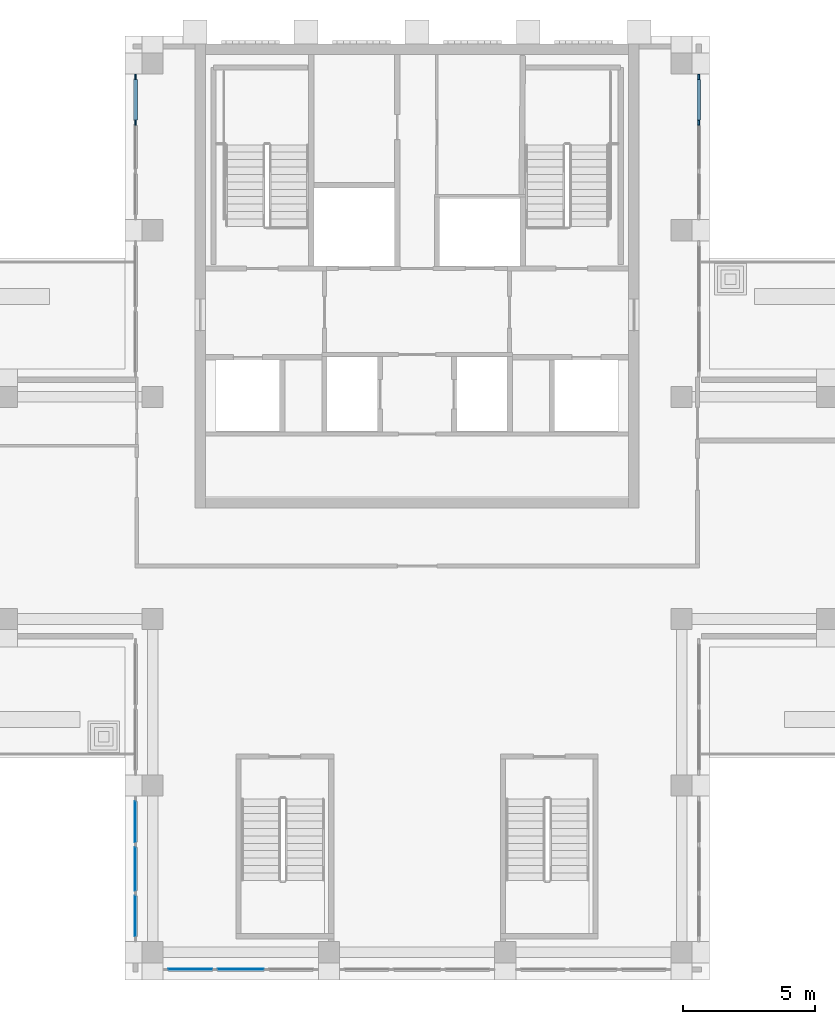
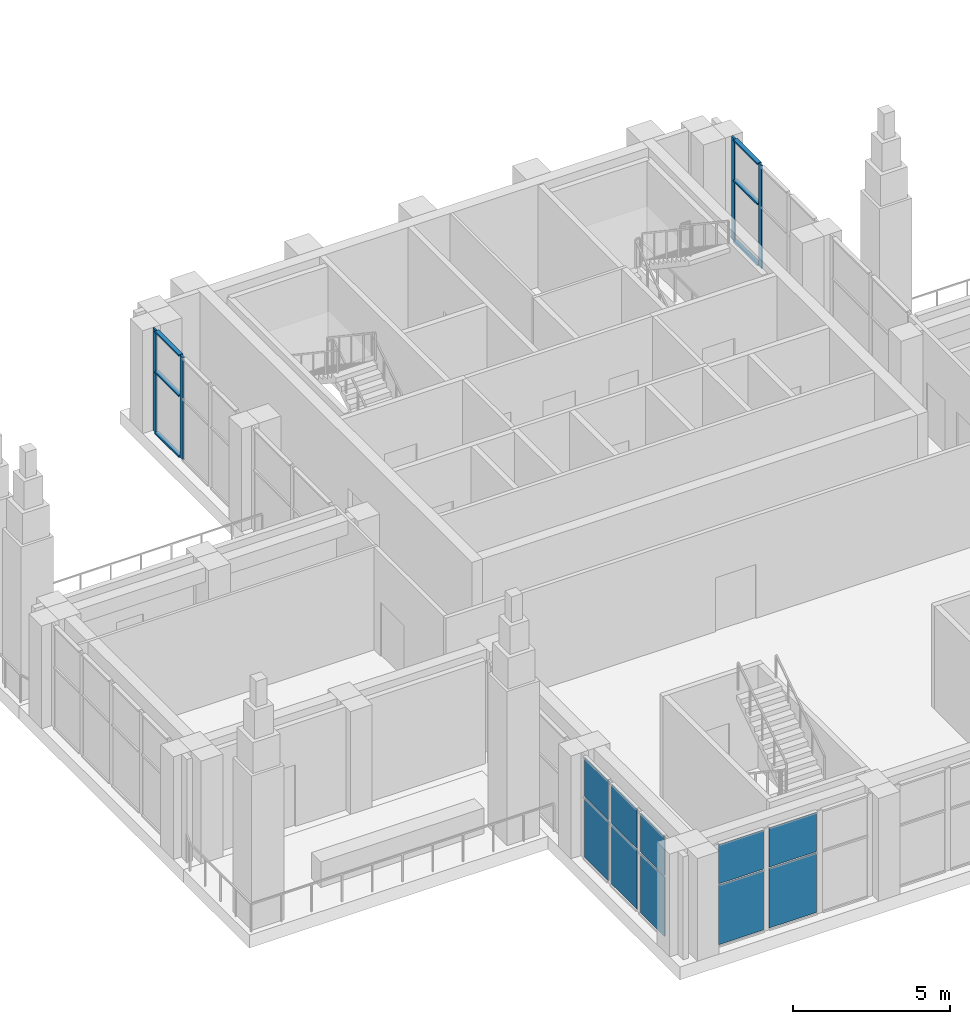
# One storey, part 6 of 14: 10 members, 10 plates, 4 elements without a shape of their own.
"""IFC4 building model written with IfcOpenShell, lengths in metres."""

from ifc_helpers import new_model, si_unit, direction, frame, origin, origin_2d, place, context, subcontext, project, spatial, rectangle, extrude, material, layer, layer_set, material_profile, profile_set, type_object, element, aggregate, save


model = new_model("IFC4")

# Units and contexts
model_context = context("Model", 3, precision=1e-05, world=origin(), true_north=direction((0.0, 1.0)))
body_context = subcontext(model_context, "Body", "Model", "MODEL_VIEW")
ifc_project = project(units=[si_unit("LENGTHUNIT", "METRE"), si_unit("AREAUNIT", "SQUARE_METRE"), si_unit("VOLUMEUNIT", "CUBIC_METRE"), si_unit("PLANEANGLEUNIT", "RADIAN"), si_unit("MASSUNIT", "GRAM", prefix="KILO")], contexts=[model_context])

# Site, building, storey
site_placement = place(None, origin())
site = spatial("IfcSite", under=ifc_project, at=site_placement, CompositionType="ELEMENT")
building_placement = place(site_placement, origin())
building = spatial("IfcBuilding", under=site, at=building_placement, Name="Vermilion Ogive Tower", CompositionType="ELEMENT")
storey_placement = place(building_placement, frame((0.0, 0.0, 284.85009765625)))
storey = spatial("IfcBuildingStorey", under=building, at=storey_placement, Name="L74", CompositionType="ELEMENT", Elevation=284.85009765625)

# Curtain wall, members
ifc_material_1 = material(Name="Low-iron laminated glazing in aluminium frame", Category="aluminium")
curtain_wall_type = type_object("IfcCurtainWallType", Name="Curtain wall CW3", PredefinedType="NOTDEFINED", material=ifc_material_1)
curtain_wall_1_placement = place(storey_placement, origin())
curtain_wall_1 = element("IfcCurtainWall", 1, at=curtain_wall_1_placement, inside=storey, type_object=curtain_wall_type, Name="CW3 glazing X42", PredefinedType="NOTDEFINED")
ifc_material_2 = material(Name="Aluminium mullion", Category="aluminium")
ifc_material_profile_1 = material_profile(ifc_material_2, rectangle(XDim=0.06005859375, YDim=0.199951171875, at=origin_2d()), Name="AL 60x200")
ifc_profile_set_1 = profile_set([ifc_material_profile_1], Name="Aluminium mullion")
member_type_1 = type_object("IfcMemberType", Name="CW3 mullion 60x200", PredefinedType="MULLION", material=ifc_profile_set_1)
member_1_placement = place(storey_placement, frame((10.64990234375, 18.7666015625, 0.0), z_axis=(0.0, 0.0, 1.0), x_axis=(-1.0, 0.0, 0.0)))
member_1 = element("IfcMember", 2, at=member_1_placement, type_object=member_type_1, Name="CW3-X42 mullion 3", PredefinedType="MULLION", context=body_context, shape_type="SweptSolid", body=[
    extrude(rectangle(XDim=0.06005859375, YDim=0.199951171875, at=origin_2d()), origin(), (0.0, 0.0, 1.0), 4.0),
])
member_2_placement = place(storey_placement, frame((10.64990234375, 20.5, 0.0), z_axis=(0.0, 0.0, 1.0), x_axis=(-1.0, 0.0, 0.0)))
member_2 = element("IfcMember", 3, at=member_2_placement, type_object=member_type_1, Name="CW3-X42 mullion 4", PredefinedType="MULLION", context=body_context, shape_type="SweptSolid", body=[
    extrude(rectangle(XDim=0.06005859375, YDim=0.199951171875, at=origin_2d()), origin(), (0.0, 0.0, 1.0), 4.0),
])

curtain_wall_2_placement = place(storey_placement, origin())
curtain_wall_2 = element("IfcCurtainWall", 4, at=curtain_wall_2_placement, inside=storey, type_object=curtain_wall_type, Name="CW3 glazing X51", PredefinedType="NOTDEFINED")
member_3_placement = place(storey_placement, frame((-10.64990234375, 20.5, 0.0), z_axis=(0.0, 0.0, 1.0), x_axis=(1.0, 0.0, 0.0)))
member_3 = element("IfcMember", 5, at=member_3_placement, type_object=member_type_1, Name="CW3-X51 mullion 1", PredefinedType="MULLION", context=body_context, shape_type="SweptSolid", body=[
    extrude(rectangle(XDim=0.06005859375, YDim=0.199951171875, at=origin_2d()), origin(), (0.0, 0.0, 1.0), 4.0),
])
member_4_placement = place(storey_placement, frame((-10.64990234375, 18.7666015625, 0.0), z_axis=(0.0, 0.0, 1.0), x_axis=(1.0, 0.0, 0.0)))
member_4 = element("IfcMember", 6, at=member_4_placement, type_object=member_type_1, Name="CW3-X51 mullion 2", PredefinedType="MULLION", context=body_context, shape_type="SweptSolid", body=[
    extrude(rectangle(XDim=0.06005859375, YDim=0.199951171875, at=origin_2d()), origin(), (0.0, 0.0, 1.0), 4.0),
])

# Member
ifc_material_3 = material(Name="Aluminium transom", Category="aluminium")
ifc_material_profile_2 = material_profile(ifc_material_3, rectangle(XDim=0.14990234375, YDim=0.06005859375, at=origin_2d()), Name="AL 60x150")
ifc_profile_set_2 = profile_set([ifc_material_profile_2], Name="Aluminium transom")
member_type_2 = type_object("IfcMemberType", Name="CW3 transom 60x150", PredefinedType="USERDEFINED", material=ifc_profile_set_2)
member_5_placement = place(storey_placement, frame((10.64990234375, 18.86669921875, 0.02978515625), z_axis=(0.0, 1.0, 0.0), x_axis=(-1.0, 0.0, 0.0)))
member_5 = element("IfcMember", 7, at=member_5_placement, type_object=member_type_2, Name="CW3-X42 transom 3.1", ObjectType="TRANSOM", PredefinedType="USERDEFINED", context=body_context, shape_type="SweptSolid", body=[
    extrude(rectangle(XDim=0.14990234375, YDim=0.06005859375, at=origin_2d()), origin(), (0.0, 0.0, 1.0), 1.533203125),
])

member_6_placement = place(storey_placement, frame((10.64990234375, 18.86669921875, 2.39990234375), z_axis=(0.0, 1.0, 0.0), x_axis=(-1.0, 0.0, 0.0)))
member_6 = element("IfcMember", 8, at=member_6_placement, type_object=member_type_2, Name="CW3-X42 transom 3.2", ObjectType="TRANSOM", PredefinedType="USERDEFINED", context=body_context, shape_type="SweptSolid", body=[
    extrude(rectangle(XDim=0.14990234375, YDim=0.06005859375, at=origin_2d()), origin(), (0.0, 0.0, 1.0), 1.533203125),
])

member_7_placement = place(storey_placement, frame((10.64990234375, 18.86669921875, 3.969970703125), z_axis=(0.0, 1.0, 0.0), x_axis=(-1.0, 0.0, 0.0)))
member_7 = element("IfcMember", 9, at=member_7_placement, type_object=member_type_2, Name="CW3-X42 transom 3.3", ObjectType="TRANSOM", PredefinedType="USERDEFINED", context=body_context, shape_type="SweptSolid", body=[
    extrude(rectangle(XDim=0.14990234375, YDim=0.06005859375, at=origin_2d()), origin(), (0.0, 0.0, 1.0), 1.533203125),
])

aggregate(curtain_wall_1, [member_1, member_2, member_5, member_6, member_7])

member_8_placement = place(storey_placement, frame((-10.64990234375, 20.39990234375, 0.02978515625), z_axis=(0.0, -1.0, 0.0), x_axis=(1.0, 0.0, 0.0)))
member_8 = element("IfcMember", 10, at=member_8_placement, type_object=member_type_2, Name="CW3-X51 transom 1.1", ObjectType="TRANSOM", PredefinedType="USERDEFINED", context=body_context, shape_type="SweptSolid", body=[
    extrude(rectangle(XDim=0.14990234375, YDim=0.06005859375, at=origin_2d()), origin(), (0.0, 0.0, 1.0), 1.533203125),
])

member_9_placement = place(storey_placement, frame((-10.64990234375, 20.39990234375, 2.39990234375), z_axis=(0.0, -1.0, 0.0), x_axis=(1.0, 0.0, 0.0)))
member_9 = element("IfcMember", 11, at=member_9_placement, type_object=member_type_2, Name="CW3-X51 transom 1.2", ObjectType="TRANSOM", PredefinedType="USERDEFINED", context=body_context, shape_type="SweptSolid", body=[
    extrude(rectangle(XDim=0.14990234375, YDim=0.06005859375, at=origin_2d()), origin(), (0.0, 0.0, 1.0), 1.533203125),
])

member_10_placement = place(storey_placement, frame((-10.64990234375, 20.39990234375, 3.969970703125), z_axis=(0.0, -1.0, 0.0), x_axis=(1.0, 0.0, 0.0)))
member_10 = element("IfcMember", 12, at=member_10_placement, type_object=member_type_2, Name="CW3-X51 transom 1.3", ObjectType="TRANSOM", PredefinedType="USERDEFINED", context=body_context, shape_type="SweptSolid", body=[
    extrude(rectangle(XDim=0.14990234375, YDim=0.06005859375, at=origin_2d()), origin(), (0.0, 0.0, 1.0), 1.533203125),
])

aggregate(curtain_wall_2, [member_3, member_4, member_8, member_9, member_10])

# Curtain wall, plates
curtain_wall_3_placement = place(storey_placement, origin())
curtain_wall_3 = element("IfcCurtainWall", 13, at=curtain_wall_3_placement, inside=storey, type_object=curtain_wall_type, Name="CW3 glazing S1", PredefinedType="NOTDEFINED")
ifc_material_4 = material(Name="Low-iron laminated glazing in aluminium frame", Category="aluminium")
ifc_layer = layer(ifc_material_4, 0.035888671875)
ifc_layer_set = layer_set([ifc_layer], Name="CW3 glazing panel 36")
plate_type = type_object("IfcPlateType", Name="CW3 glazing panel 36", PredefinedType="CURTAIN_PANEL", material=ifc_layer_set)
plate_1_placement = place(storey_placement, frame((-8.572265625, -13.25, 0.059814453125), z_axis=(0.0, 0.0, 1.0), x_axis=(1.0, 0.0, 0.0)))
plate_1 = element("IfcPlate", 14, at=plate_1_placement, type_object=plate_type, Name="CW3-S1 panel 1.1", PredefinedType="CURTAIN_PANEL", context=body_context, shape_type="SweptSolid", body=[
    extrude(rectangle(XDim=1.655517578125, YDim=0.035888671875, at=origin_2d()), origin(), (0.0, 0.0, 1.0), 2.31005859375),
])
plate_2_placement = place(storey_placement, frame((-8.572265625, -13.25, 2.4296875), z_axis=(0.0, 0.0, 1.0), x_axis=(1.0, 0.0, 0.0)))
plate_2 = element("IfcPlate", 15, at=plate_2_placement, type_object=plate_type, Name="CW3-S1 panel 1.2", PredefinedType="CURTAIN_PANEL", context=body_context, shape_type="SweptSolid", body=[
    extrude(rectangle(XDim=1.655517578125, YDim=0.035888671875, at=origin_2d()), origin(), (0.0, 0.0, 1.0), 1.510009765625),
])
plate_3_placement = place(storey_placement, frame((-6.666748046875, -13.25, 0.059814453125), z_axis=(0.0, 0.0, 1.0), x_axis=(1.0, 0.0, 0.0)))
plate_3 = element("IfcPlate", 16, at=plate_3_placement, type_object=plate_type, Name="CW3-S1 panel 2.1", PredefinedType="CURTAIN_PANEL", context=body_context, shape_type="SweptSolid", body=[
    extrude(rectangle(XDim=1.755615234375, YDim=0.035888671875, at=origin_2d()), origin(), (0.0, 0.0, 1.0), 2.31005859375),
])
plate_4_placement = place(storey_placement, frame((-6.666748046875, -13.25, 2.4296875), z_axis=(0.0, 0.0, 1.0), x_axis=(1.0, 0.0, 0.0)))
plate_4 = element("IfcPlate", 17, at=plate_4_placement, type_object=plate_type, Name="CW3-S1 panel 2.2", PredefinedType="CURTAIN_PANEL", context=body_context, shape_type="SweptSolid", body=[
    extrude(rectangle(XDim=1.755615234375, YDim=0.035888671875, at=origin_2d()), origin(), (0.0, 0.0, 1.0), 1.510009765625),
])
aggregate(curtain_wall_3, [plate_1, plate_2, plate_3, plate_4])

curtain_wall_4_placement = place(storey_placement, origin())
curtain_wall_4 = element("IfcCurtainWall", 18, at=curtain_wall_4_placement, inside=storey, type_object=curtain_wall_type, Name="CW3 glazing X82", PredefinedType="NOTDEFINED")
plate_5_placement = place(storey_placement, frame((-10.64990234375, -7.666748046875, 0.059814453125), z_axis=(0.0, 0.0, 1.0), x_axis=(0.0, -1.0, 0.0)))
plate_5 = element("IfcPlate", 19, at=plate_5_placement, type_object=plate_type, Name="CW3-X82 panel 1.1", PredefinedType="CURTAIN_PANEL", context=body_context, shape_type="SweptSolid", body=[
    extrude(rectangle(XDim=1.533447265625, YDim=0.035888671875, at=origin_2d()), origin(), (0.0, 0.0, 1.0), 2.31005859375),
])
plate_6_placement = place(storey_placement, frame((-10.64990234375, -7.666748046875, 2.4296875), z_axis=(0.0, 0.0, 1.0), x_axis=(0.0, -1.0, 0.0)))
plate_6 = element("IfcPlate", 20, at=plate_6_placement, type_object=plate_type, Name="CW3-X82 panel 1.2", PredefinedType="CURTAIN_PANEL", context=body_context, shape_type="SweptSolid", body=[
    extrude(rectangle(XDim=1.533447265625, YDim=0.035888671875, at=origin_2d()), origin(), (0.0, 0.0, 1.0), 1.510009765625),
])
plate_7_placement = place(storey_placement, frame((-10.64990234375, -9.449951171875, 0.059814453125), z_axis=(0.0, 0.0, 1.0), x_axis=(0.0, -1.0, 0.0)))
plate_7 = element("IfcPlate", 21, at=plate_7_placement, type_object=plate_type, Name="CW3-X82 panel 2.1", PredefinedType="CURTAIN_PANEL", context=body_context, shape_type="SweptSolid", body=[
    extrude(rectangle(XDim=1.63330078125, YDim=0.035888671875, at=origin_2d()), origin(), (0.0, 0.0, 1.0), 2.31005859375),
])
plate_8_placement = place(storey_placement, frame((-10.64990234375, -9.449951171875, 2.4296875), z_axis=(0.0, 0.0, 1.0), x_axis=(0.0, -1.0, 0.0)))
plate_8 = element("IfcPlate", 22, at=plate_8_placement, type_object=plate_type, Name="CW3-X82 panel 2.2", PredefinedType="CURTAIN_PANEL", context=body_context, shape_type="SweptSolid", body=[
    extrude(rectangle(XDim=1.63330078125, YDim=0.035888671875, at=origin_2d()), origin(), (0.0, 0.0, 1.0), 1.510009765625),
])
plate_9_placement = place(storey_placement, frame((-10.64990234375, -11.2333984375, 0.059814453125), z_axis=(0.0, 0.0, 1.0), x_axis=(0.0, -1.0, 0.0)))
plate_9 = element("IfcPlate", 23, at=plate_9_placement, type_object=plate_type, Name="CW3-X82 panel 3.1", PredefinedType="CURTAIN_PANEL", context=body_context, shape_type="SweptSolid", body=[
    extrude(rectangle(XDim=1.533447265625, YDim=0.035888671875, at=origin_2d()), origin(), (0.0, 0.0, 1.0), 2.31005859375),
])
plate_10_placement = place(storey_placement, frame((-10.64990234375, -11.2333984375, 2.4296875), z_axis=(0.0, 0.0, 1.0), x_axis=(0.0, -1.0, 0.0)))
plate_10 = element("IfcPlate", 24, at=plate_10_placement, type_object=plate_type, Name="CW3-X82 panel 3.2", PredefinedType="CURTAIN_PANEL", context=body_context, shape_type="SweptSolid", body=[
    extrude(rectangle(XDim=1.533447265625, YDim=0.035888671875, at=origin_2d()), origin(), (0.0, 0.0, 1.0), 1.510009765625),
])
aggregate(curtain_wall_4, [plate_5, plate_6, plate_7, plate_8, plate_9, plate_10])

save(model, "model.ifc")
